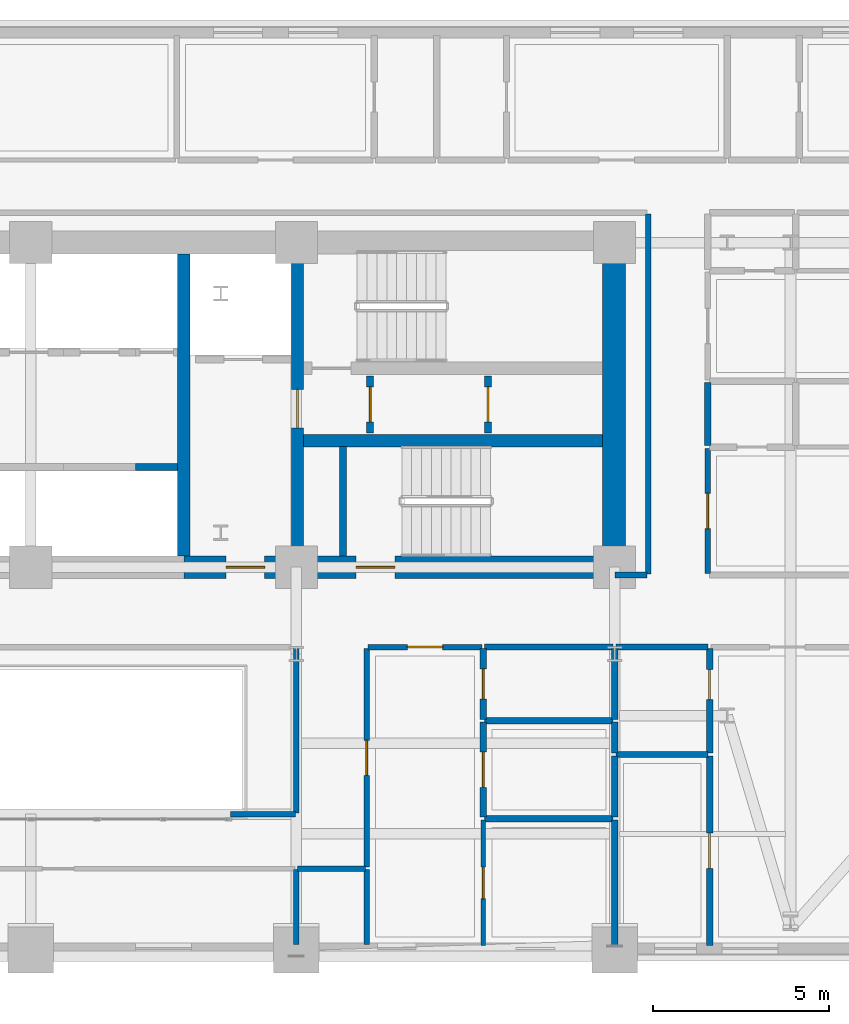
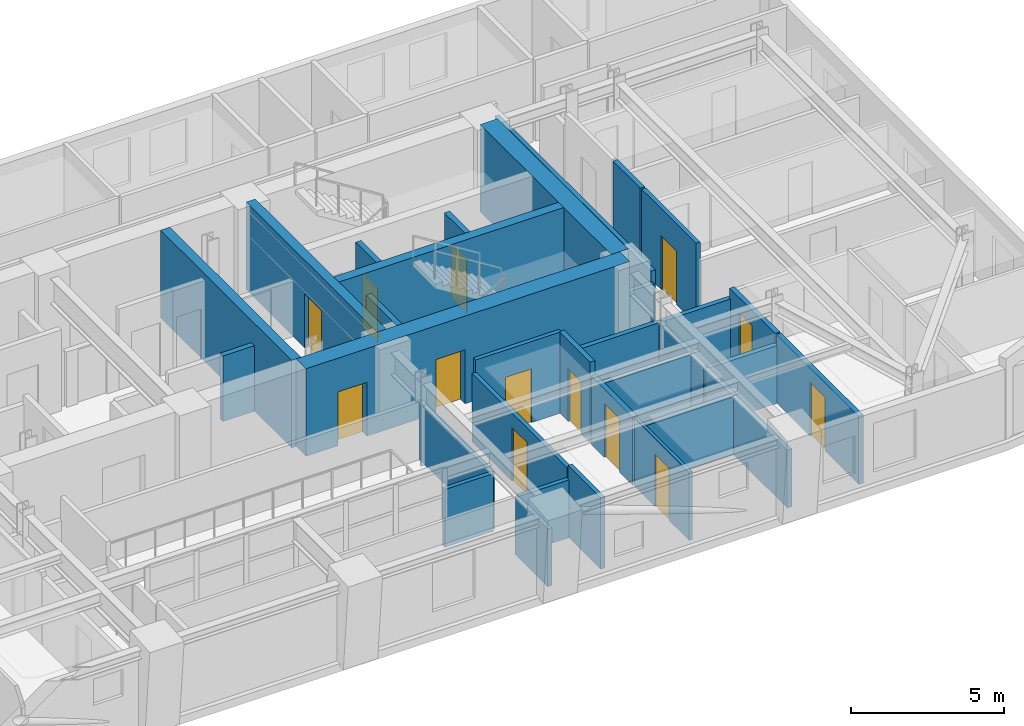
# One storey, part 11 of 16: 34 walls, 13 doors, 13 openings.
"""IFC4 building model written with IfcOpenShell, lengths in metres."""

from ifc_helpers import new_model, si_unit, direction, frame, frame_2d, origin, place, context, subcontext, project, spatial, rectangle, extrude, material, layer, layer_set, type_object, element, fill, save


model = new_model("IFC4")

# Units and contexts
model_context = context("Model", 3, precision=1e-05, world=origin(), true_north=direction((0.0, 1.0)))
body_context = subcontext(model_context, "Body", "Model", "MODEL_VIEW")
ifc_project = project(units=[si_unit("LENGTHUNIT", "METRE"), si_unit("AREAUNIT", "SQUARE_METRE"), si_unit("VOLUMEUNIT", "CUBIC_METRE"), si_unit("PLANEANGLEUNIT", "RADIAN"), si_unit("MASSUNIT", "GRAM", prefix="KILO")], contexts=[model_context])

# Site, building, storey
site_placement = place(None, origin())
site = spatial("IfcSite", under=ifc_project, at=site_placement, CompositionType="ELEMENT")
building_placement = place(site_placement, origin())
building = spatial("IfcBuilding", under=site, at=building_placement, Name="Zarnavel Station Tower", CompositionType="ELEMENT")
storey_placement = place(building_placement, frame((0.0, 0.0, 101.300048828125)))
storey = spatial("IfcBuildingStorey", under=building, at=storey_placement, Name="L27", CompositionType="ELEMENT", Elevation=101.300048828125)

# Wall
ifc_material_1 = material(Name="Concrete C50/60", Category="concrete")
ifc_layer_1 = layer(ifc_material_1, 0.35009765625)
ifc_layer_set_1 = layer_set([ifc_layer_1], Name="CW_350")
wall_type_1 = type_object("IfcWallType", Name="CW_350", PredefinedType="SHEAR", material=ifc_layer_set_1)
wall_1_placement = place(storey_placement, frame((33.14990234375, 28.14501953125, 0.0), z_axis=(0.0, 0.0, 1.0), x_axis=(0.0, 1.0, 0.0)))
element("IfcWall", 1, at=wall_1_placement, inside=storey, type_object=wall_type_1, Name="L27 Rear Core Shear Wall DIV-E", PredefinedType="SHEAR", context=body_context, shape_type="SweptSolid", body=[
    extrude(rectangle(XDim=8.580078125, YDim=0.35009765625, at=frame_2d((4.2900390625, 0.0))), origin(), (0.0, 0.0, 1.0), 3.5),
])

# Wall, opening, door
wall_2_placement = place(storey_placement, frame((36.3798828125, 28.14501953125, 0.0), z_axis=(0.0, 0.0, 1.0), x_axis=(0.0, 1.0, 0.0)))
wall_2 = element("IfcWall", 2, at=wall_2_placement, inside=storey, type_object=wall_type_1, Name="L27 Rear Core Shear Wall DIV-S2", PredefinedType="SHEAR", context=body_context, shape_type="SweptSolid", body=[
    extrude(rectangle(XDim=8.580078125, YDim=0.35009765625, at=frame_2d((4.2900390625, 0.0))), origin(), (0.0, 0.0, 1.0), 3.5),
])
opening_1_placement = place(wall_2_placement, frame((3.635009765625, 0.0, 0.0)))
opening_1 = element("IfcOpeningElement", 3, at=opening_1_placement, cuts=wall_2, Name="Opening FD01", PredefinedType="OPENING", context=body_context, shape_type="SweptSolid", body=[
    extrude(rectangle(XDim=1.10009765625, YDim=2.14990234375, at=frame_2d((0.550048828125, 1.074951171875))), frame((0.0, 0.18505859375, 0.0), z_axis=(0.0, -1.0, 0.0), x_axis=(1.0, 0.0, 0.0)), (0.0, 0.0, 1.0), 0.3701171875),
])
ifc_material_2 = material(Name="Painted Galvanised Steel and Hardwood Leaf", Category="steel")
door_type_1 = type_object("IfcDoorType", Name="ID_STAIR_1100", OperationType="NOTDEFINED", PredefinedType="DOOR", material=ifc_material_2)
door_1_placement = place(opening_1_placement, origin())
door_1 = element("IfcDoor", 4, at=door_1_placement, inside=storey, type_object=door_type_1, Name="L27 East Stair Vestibule Fire Door", OperationType="SINGLE_SWING_LEFT", OverallHeight=2.14990234375, OverallWidth=1.10009765625, PredefinedType="DOOR", context=body_context, shape_type="SweptSolid", body=[
    extrude(rectangle(XDim=1.10009765625, YDim=2.14990234375, at=frame_2d((0.550048828125, 1.074951171875))), frame((0.0, 0.02490234375, 0.0), z_axis=(0.0, -1.0, 0.0), x_axis=(1.0, 0.0, 0.0)), (0.0, 0.0, 1.0), 0.050048828125),
])
fill(opening_1, door_1)

# Wall
wall_3_placement = place(storey_placement, frame((36.554931640625, 31.419921875, 0.0), z_axis=(0.0, 0.0, 1.0), x_axis=(1.0, 0.0, 0.0)))
element("IfcWall", 5, at=wall_3_placement, inside=storey, type_object=wall_type_1, Name="L27 Rear Core Shear Wall DIV-H3", PredefinedType="SHEAR", context=body_context, shape_type="SweptSolid", body=[
    extrude(rectangle(XDim=8.5, YDim=0.35009765625, at=frame_2d((4.25, 0.0))), origin(), (0.0, 0.0, 1.0), 3.5),
])

# Wall, openings, doors
ifc_material_3 = material(Name="Concrete C60/75", Category="concrete")
ifc_layer_2 = layer(ifc_material_3, 0.64990234375)
ifc_layer_set_2 = layer_set([ifc_layer_2], Name="CW_650")
wall_type_2 = type_object("IfcWallType", Name="CW_650", PredefinedType="SHEAR", material=ifc_layer_set_2)
wall_4_placement = place(storey_placement, frame((45.3798828125, 27.820068359375, 0.0), z_axis=(0.0, 0.0, 1.0), x_axis=(-1.0, 0.0, 0.0)))
wall_4 = element("IfcWall", 6, at=wall_4_placement, inside=storey, type_object=wall_type_2, Name="L27 Rear Core Shear Wall S-E", PredefinedType="SHEAR", context=body_context, shape_type="SweptSolid", body=[
    extrude(rectangle(XDim=12.22998046875, YDim=0.64990234375, at=frame_2d((6.114990234375, 0.0))), origin(), (0.0, 0.0, 1.0), 3.5),
])
opening_2_placement = place(wall_4_placement, frame((9.929931640625, 0.0, 0.0)))
opening_2 = element("IfcOpeningElement", 7, at=opening_2_placement, cuts=wall_4, Name="Opening FD01", PredefinedType="OPENING", context=body_context, shape_type="SweptSolid", body=[
    extrude(rectangle(XDim=1.10009765625, YDim=2.14990234375, at=frame_2d((0.550048828125, 1.074951171875))), frame((0.0, 0.3349609375, 0.0), z_axis=(0.0, -1.0, 0.0), x_axis=(1.0, 0.0, 0.0)), (0.0, 0.0, 1.0), 0.669921875),
])
opening_3_placement = place(wall_4_placement, frame((6.22998046875, 0.0, 0.0)))
opening_3 = element("IfcOpeningElement", 8, at=opening_3_placement, cuts=wall_4, Name="Opening FD01", PredefinedType="OPENING", context=body_context, shape_type="SweptSolid", body=[
    extrude(rectangle(XDim=1.10009765625, YDim=2.14990234375, at=frame_2d((0.550048828125, 1.074951171875))), frame((0.0, 0.3349609375, 0.0), z_axis=(0.0, -1.0, 0.0), x_axis=(1.0, 0.0, 0.0)), (0.0, 0.0, 1.0), 0.669921875),
])
door_2_placement = place(opening_2_placement, origin())
door_2 = element("IfcDoor", 9, at=door_2_placement, inside=storey, type_object=door_type_1, Name="L27 East Firefighting Lobby Door", OperationType="SINGLE_SWING_LEFT", OverallHeight=2.14990234375, OverallWidth=1.10009765625, PredefinedType="DOOR", context=body_context, shape_type="SweptSolid", body=[
    extrude(rectangle(XDim=1.10009765625, YDim=2.14990234375, at=frame_2d((0.550048828125, 1.074951171875))), frame((0.0, 0.02490234375, 0.0), z_axis=(0.0, -1.0, 0.0), x_axis=(1.0, 0.0, 0.0)), (0.0, 0.0, 1.0), 0.050048828125),
])
fill(opening_2, door_2)
door_3_placement = place(opening_3_placement, origin())
door_3 = element("IfcDoor", 10, at=door_3_placement, inside=storey, type_object=door_type_1, Name="L27 Stair ST3 Corridor Fire Door", OperationType="SINGLE_SWING_RIGHT", OverallHeight=2.14990234375, OverallWidth=1.10009765625, PredefinedType="DOOR", context=body_context, shape_type="SweptSolid", body=[
    extrude(rectangle(XDim=1.10009765625, YDim=2.14990234375, at=frame_2d((0.550048828125, 1.074951171875))), frame((0.0, 0.02490234375, 0.0), z_axis=(0.0, -1.0, 0.0), x_axis=(1.0, 0.0, 0.0)), (0.0, 0.0, 1.0), 0.050048828125),
])
fill(opening_3, door_3)

# Wall
wall_5_placement = place(storey_placement, frame((45.3798828125, 28.14501953125, 0.0), z_axis=(0.0, 0.0, 1.0), x_axis=(0.0, 1.0, 0.0)))
element("IfcWall", 11, at=wall_5_placement, inside=storey, type_object=wall_type_2, Name="L27 Rear Core Shear Wall E", PredefinedType="SHEAR", context=body_context, shape_type="SweptSolid", body=[
    extrude(rectangle(XDim=8.580078125, YDim=0.64990234375, at=frame_2d((4.2900390625, 0.0))), origin(), (0.0, 0.0, 1.0), 3.5),
])

# Wall, opening, door
ifc_material_4 = material(Name="Gypsum Twin-Stud Acoustic Fire Partition", Category="concrete")
ifc_layer_3 = layer(ifc_material_4, 0.159912109375)
ifc_layer_set_3 = layer_set([ifc_layer_3], Name="PT_DEMISE_160")
wall_type_3 = type_object("IfcWallType", Name="PT_DEMISE_160", PredefinedType="PARTITIONING", material=ifc_layer_set_3)
wall_6_placement = place(storey_placement, frame((38.389892578125, 25.550048828125, 0.0), z_axis=(0.0, 0.0, 1.0), x_axis=(1.0, 0.0, 0.0)))
wall_6 = element("IfcWall", 12, at=wall_6_placement, inside=storey, type_object=wall_type_3, Name="L27 Partition COR-S-UE1ALV", PredefinedType="PARTITIONING", context=body_context, shape_type="SweptSolid", body=[
    extrude(rectangle(XDim=3.233154296875, YDim=0.159912109375, at=frame_2d((1.61669921875, 0.0))), origin(), (0.0, 0.0, 1.0), 3.239990234375),
])
opening_4_placement = place(wall_6_placement, frame((1.116455078125, 0.0, 0.0)))
opening_4 = element("IfcOpeningElement", 13, at=opening_4_placement, cuts=wall_6, Name="Opening FD02", PredefinedType="OPENING", context=body_context, shape_type="SweptSolid", body=[
    extrude(rectangle(XDim=1.0, YDim=2.14990234375, at=frame_2d((0.5, 1.074951171875))), frame((0.0, 0.08984375, 0.0), z_axis=(0.0, -1.0, 0.0), x_axis=(1.0, 0.0, 0.0)), (0.0, 0.0, 1.0), 0.179931640625),
])
ifc_material_5 = material(Name="Painted Galvanised Steel and Hardwood Leaf", Category="steel")
door_type_2 = type_object("IfcDoorType", Name="ID_ENTRY_1000", OperationType="NOTDEFINED", PredefinedType="DOOR", material=ifc_material_5)
door_4_placement = place(opening_4_placement, origin())
door_4 = element("IfcDoor", 14, at=door_4_placement, inside=storey, type_object=door_type_2, Name="L27 Door COR-S-UE1ALV", OperationType="SINGLE_SWING_LEFT", OverallHeight=2.14990234375, OverallWidth=1.0, PredefinedType="DOOR", context=body_context, shape_type="SweptSolid", body=[
    extrude(rectangle(XDim=1.0, YDim=2.14990234375, at=frame_2d((0.5, 1.074951171875))), frame((0.0, 0.02490234375, 0.0), z_axis=(0.0, -1.0, 0.0), x_axis=(1.0, 0.0, 0.0)), (0.0, 0.0, 1.0), 0.050048828125),
])
fill(opening_4, door_4)

wall_7_placement = place(storey_placement, frame((48.050048828125, 27.639892578125, 0.0), z_axis=(0.0, 0.0, 1.0), x_axis=(0.0, 1.0, 0.0)))
wall_7 = element("IfcWall", 15, at=wall_7_placement, inside=storey, type_object=wall_type_3, Name="L27 Partition COR-E-FNE1R", PredefinedType="PARTITIONING", context=body_context, shape_type="SweptSolid", body=[
    extrude(rectangle(XDim=3.55615234375, YDim=0.159912109375, at=frame_2d((1.778076171875, 0.0))), origin(), (0.0, 0.0, 1.0), 3.239990234375),
])
opening_5_placement = place(wall_7_placement, frame((1.278076171875, 0.0, 0.0)))
opening_5 = element("IfcOpeningElement", 16, at=opening_5_placement, cuts=wall_7, Name="Opening FD02", PredefinedType="OPENING", context=body_context, shape_type="SweptSolid", body=[
    extrude(rectangle(XDim=1.0, YDim=2.14990234375, at=frame_2d((0.5, 1.074951171875))), frame((0.0, 0.08984375, 0.0), z_axis=(0.0, -1.0, 0.0), x_axis=(1.0, 0.0, 0.0)), (0.0, 0.0, 1.0), 0.179931640625),
])
door_5_placement = place(opening_5_placement, origin())
door_5 = element("IfcDoor", 17, at=door_5_placement, inside=storey, type_object=door_type_2, Name="L27 Door COR-E-FNE1R", OperationType="SINGLE_SWING_LEFT", OverallHeight=2.14990234375, OverallWidth=1.0, PredefinedType="DOOR", context=body_context, shape_type="SweptSolid", body=[
    extrude(rectangle(XDim=1.0, YDim=2.14990234375, at=frame_2d((0.5, 1.074951171875))), frame((0.0, 0.02490234375, 0.0), z_axis=(0.0, -1.0, 0.0), x_axis=(1.0, 0.0, 0.0)), (0.0, 0.0, 1.0), 0.050048828125),
])
fill(opening_5, door_5)

wall_8_placement = place(storey_placement, frame((38.35009765625, 19.2900390625, 0.0), z_axis=(0.0, 0.0, 1.0), x_axis=(0.0, 1.0, 0.0)))
wall_8 = element("IfcWall", 18, at=wall_8_placement, inside=storey, type_object=wall_type_3, Name="L27 Partition COR-AE-UE1ALV", PredefinedType="PARTITIONING", context=body_context, shape_type="SweptSolid", body=[
    extrude(rectangle(XDim=6.219970703125, YDim=0.159912109375, at=frame_2d((3.10986328125, 0.0))), origin(), (0.0, 0.0, 1.0), 2.72998046875),
])
opening_6_placement = place(wall_8_placement, frame((2.610107421875, 0.0, 0.0)))
opening_6 = element("IfcOpeningElement", 19, at=opening_6_placement, cuts=wall_8, Name="Opening FD02", PredefinedType="OPENING", context=body_context, shape_type="SweptSolid", body=[
    extrude(rectangle(XDim=1.0, YDim=2.14990234375, at=frame_2d((0.5, 1.074951171875))), frame((0.0, 0.08984375, 0.0), z_axis=(0.0, -1.0, 0.0), x_axis=(1.0, 0.0, 0.0)), (0.0, 0.0, 1.0), 0.179931640625),
])
door_6_placement = place(opening_6_placement, origin())
door_6 = element("IfcDoor", 20, at=door_6_placement, inside=storey, type_object=door_type_2, Name="L27 Door COR-AE-UE1ALV", OperationType="SINGLE_SWING_RIGHT", OverallHeight=2.14990234375, OverallWidth=1.0, PredefinedType="DOOR", context=body_context, shape_type="SweptSolid", body=[
    extrude(rectangle(XDim=1.0, YDim=2.14990234375, at=frame_2d((0.5, 1.074951171875))), frame((0.0, 0.02490234375, 0.0), z_axis=(0.0, -1.0, 0.0), x_axis=(1.0, 0.0, 0.0)), (0.0, 0.0, 1.0), 0.050048828125),
])
fill(opening_6, door_6)

# Walls
wall_9_placement = place(storey_placement, frame((45.409912109375, 27.60009765625, 0.0), z_axis=(0.0, 0.0, 1.0), x_axis=(1.0, 0.0, 0.0)))
element("IfcWall", 21, at=wall_9_placement, inside=storey, type_object=wall_type_3, Name="L27 Enclosure Wall COR-S", PredefinedType="PARTITIONING", context=body_context, shape_type="SweptSolid", body=[
    extrude(rectangle(XDim=0.91015625, YDim=0.159912109375, at=frame_2d((0.455078125, 0.0))), origin(), (0.0, 0.0, 1.0), 2.280029296875),
])
wall_10_placement = place(storey_placement, frame((46.35009765625, 27.6298828125, 0.0), z_axis=(0.0, 0.0, 1.0), x_axis=(0.0, 1.0, 0.0)))
element("IfcWall", 22, at=wall_10_placement, inside=storey, type_object=wall_type_3, Name="L27 Enclosure Wall COR-E", PredefinedType="PARTITIONING", context=body_context, shape_type="SweptSolid", body=[
    extrude(rectangle(XDim=10.240234375, YDim=0.159912109375, at=frame_2d((5.1201171875, 0.0))), origin(), (0.0, 0.0, 1.0), 2.719970703125),
])
wall_11_placement = place(storey_placement, frame((36.3798828125, 19.25, 0.0), z_axis=(0.0, 0.0, 1.0), x_axis=(1.0, 0.0, 0.0)))
element("IfcWall", 23, at=wall_11_placement, inside=storey, type_object=wall_type_3, Name="L27 Enclosure Wall COR-AE", PredefinedType="PARTITIONING", context=body_context, shape_type="SweptSolid", body=[
    extrude(rectangle(XDim=1.940185546875, YDim=0.159912109375, at=frame_2d((0.97021484375, 0.0))), origin(), (0.0, 0.0, 1.0), 2.31005859375),
])
wall_12_placement = place(storey_placement, frame((36.35009765625, 20.830078125, 0.0), z_axis=(0.0, 0.0, 1.0), x_axis=(0.0, 1.0, 0.0)))
element("IfcWall", 24, at=wall_12_placement, inside=storey, type_object=wall_type_3, Name="L27 Enclosure Wall COR-AE", PredefinedType="PARTITIONING", context=body_context, shape_type="SweptSolid", body=[
    extrude(rectangle(XDim=4.68994140625, YDim=0.159912109375, at=frame_2d((2.344970703125, 0.0))), origin(), (0.0, 0.0, 1.0), 2.31005859375),
])
wall_13_placement = place(storey_placement, frame((34.47998046875, 20.800048828125, 0.0), z_axis=(0.0, 0.0, 1.0), x_axis=(1.0, 0.0, 0.0)))
element("IfcWall", 25, at=wall_13_placement, inside=storey, type_object=wall_type_3, Name="L27 Enclosure Wall COR-AS", PredefinedType="PARTITIONING", context=body_context, shape_type="SweptSolid", body=[
    extrude(rectangle(XDim=1.840087890625, YDim=0.159912109375, at=frame_2d((0.919921875, 0.0))), origin(), (0.0, 0.0, 1.0), 2.31005859375),
])
wall_14_placement = place(storey_placement, frame((36.35009765625, 17.090087890625, 0.0), z_axis=(0.0, 0.0, 1.0), x_axis=(0.0, 1.0, 0.0)))
element("IfcWall", 26, at=wall_14_placement, inside=storey, type_object=wall_type_3, Name="L27 Enclosure Wall L27FOY", PredefinedType="PARTITIONING", context=body_context, shape_type="SweptSolid", body=[
    extrude(rectangle(XDim=2.1298828125, YDim=0.159912109375, at=frame_2d((1.06494140625, 0.0))), origin(), (0.0, 0.0, 1.0), 2.31005859375),
])
wall_15_placement = place(storey_placement, frame((38.35009765625, 17.090087890625, 0.0), z_axis=(0.0, 0.0, 1.0), x_axis=(0.0, 1.0, 0.0)))
element("IfcWall", 27, at=wall_15_placement, inside=storey, type_object=wall_type_3, Name="L27 Enclosure Wall UE1ALV", PredefinedType="PARTITIONING", context=body_context, shape_type="SweptSolid", body=[
    extrude(rectangle(XDim=2.1298828125, YDim=0.159912109375, at=frame_2d((1.06494140625, 0.0))), origin(), (0.0, 0.0, 1.0), 2.85986328125),
])

# Wall, opening, door
ifc_material_6 = material(Name="Gypsum Metal-Stud Interior Partition", Category="concrete")
ifc_layer_4 = layer(ifc_material_6, 0.1201171875)
ifc_layer_set_4 = layer_set([ifc_layer_4], Name="PT_ROOM_120")
wall_type_4 = type_object("IfcWallType", Name="PT_ROOM_120", PredefinedType="PARTITIONING", material=ifc_layer_set_4)
wall_16_placement = place(storey_placement, frame((41.6630859375, 17.06005859375, 0.0), z_axis=(0.0, 0.0, 1.0), x_axis=(0.0, 1.0, 0.0)))
wall_16 = element("IfcWall", 28, at=wall_16_placement, inside=storey, type_object=wall_type_4, Name="L27 Partition UE1ALV-UE1AB1", PredefinedType="PARTITIONING", context=body_context, shape_type="SweptSolid", body=[
    extrude(rectangle(XDim=3.572998046875, YDim=0.1201171875, at=frame_2d((1.78662109375, 0.0))), origin(), (0.0, 0.0, 1.0), 2.72998046875),
])
opening_7_placement = place(wall_16_placement, frame((1.33642578125, 0.0, 0.0)))
opening_7 = element("IfcOpeningElement", 29, at=opening_7_placement, cuts=wall_16, Name="Opening ID01", PredefinedType="OPENING", context=body_context, shape_type="SweptSolid", body=[
    extrude(rectangle(XDim=0.89990234375, YDim=2.10009765625, at=frame_2d((0.449951171875, 1.050048828125))), frame((0.0, 0.070068359375, 0.0), z_axis=(0.0, -1.0, 0.0), x_axis=(1.0, 0.0, 0.0)), (0.0, 0.0, 1.0), 0.14013671875),
])
ifc_material_7 = material(Name="Painted Galvanised Steel and Hardwood Leaf", Category="steel")
door_type_3 = type_object("IfcDoorType", Name="ID_ROOM_900", OperationType="NOTDEFINED", PredefinedType="DOOR", material=ifc_material_7)
door_7_placement = place(opening_7_placement, origin())
door_7 = element("IfcDoor", 30, at=door_7_placement, inside=storey, type_object=door_type_3, Name="L27 Door UE1ALV-UE1AB1", OperationType="SINGLE_SWING_LEFT", OverallHeight=2.10009765625, OverallWidth=0.89990234375, PredefinedType="DOOR", context=body_context, shape_type="SweptSolid", body=[
    extrude(rectangle(XDim=0.89990234375, YDim=2.10009765625, at=frame_2d((0.449951171875, 1.050048828125))), frame((0.0, 0.02490234375, 0.0), z_axis=(0.0, -1.0, 0.0), x_axis=(1.0, 0.0, 0.0)), (0.0, 0.0, 1.0), 0.050048828125),
])
fill(opening_7, door_7)

# Walls
ifc_material_8 = material(Name="Precast concrete C45/55 (Fire Shaft Blockwork)", Category="masonry")
ifc_layer_5 = layer(ifc_material_8, 0.199951171875)
ifc_layer_set_5 = layer_set([ifc_layer_5], Name="PT_SHAFT_200")
wall_type_5 = type_object("IfcWallType", Name="PT_SHAFT_200", PredefinedType="PARTITIONING", material=ifc_layer_set_5)
wall_17_placement = place(storey_placement, frame((31.77490234375, 30.669921875, 0.0), z_axis=(0.0, 0.0, 1.0), x_axis=(1.0, 0.0, 0.0)))
element("IfcWall", 31, at=wall_17_placement, inside=storey, type_object=wall_type_5, Name="L27 Lift PL-H3 Shaft Front Wall", PredefinedType="PARTITIONING", context=body_context, shape_type="SweptSolid", body=[
    extrude(rectangle(XDim=1.2001953125, YDim=0.199951171875, at=frame_2d((0.60009765625, 0.0))), origin(), (0.0, 0.0, 1.0), 2.619873046875),
])
wall_18_placement = place(storey_placement, frame((37.679931640625, 28.14501953125, 0.0), z_axis=(0.0, 0.0, 1.0), x_axis=(0.0, 1.0, 0.0)))
element("IfcWall", 32, at=wall_18_placement, inside=storey, type_object=wall_type_5, Name="L27 Stair ST3 West Shaft Wall", PredefinedType="PARTITIONING", context=body_context, shape_type="SweptSolid", body=[
    extrude(rectangle(XDim=3.10498046875, YDim=0.199951171875, at=frame_2d((1.552490234375, 0.0))), origin(), (0.0, 0.0, 1.0), 2.619873046875),
])

# Wall, opening, door
wall_19_placement = place(storey_placement, frame((38.449951171875, 31.639892578125, 0.0), z_axis=(0.0, 0.0, 1.0), x_axis=(0.0, 1.0, 0.0)))
wall_19 = element("IfcWall", 33, at=wall_19_placement, inside=storey, type_object=wall_type_5, Name="L27 Partition ESTV-CEA", PredefinedType="PARTITIONING", context=body_context, shape_type="SweptSolid", body=[
    extrude(rectangle(XDim=1.6201171875, YDim=0.199951171875, at=frame_2d((0.81005859375, 0.0))), origin(), (0.0, 0.0, 1.0), 3.239990234375),
])
opening_8_placement = place(wall_19_placement, frame((0.31005859375, 0.0, 0.0)))
opening_8 = element("IfcOpeningElement", 34, at=opening_8_placement, cuts=wall_19, Name="Opening FD02", PredefinedType="OPENING", context=body_context, shape_type="SweptSolid", body=[
    extrude(rectangle(XDim=1.0, YDim=2.14990234375, at=frame_2d((0.5, 1.074951171875))), frame((0.0, 0.10986328125, 0.0), z_axis=(0.0, -1.0, 0.0), x_axis=(1.0, 0.0, 0.0)), (0.0, 0.0, 1.0), 0.219970703125),
])
door_8_placement = place(opening_8_placement, origin())
door_8 = element("IfcDoor", 35, at=door_8_placement, inside=storey, type_object=door_type_2, Name="L27 Door ESTV-CEA", OperationType="SINGLE_SWING_LEFT", OverallHeight=2.14990234375, OverallWidth=1.0, PredefinedType="DOOR", context=body_context, shape_type="SweptSolid", body=[
    extrude(rectangle(XDim=1.0, YDim=2.14990234375, at=frame_2d((0.5, 1.074951171875))), frame((0.0, 0.02490234375, 0.0), z_axis=(0.0, -1.0, 0.0), x_axis=(1.0, 0.0, 0.0)), (0.0, 0.0, 1.0), 0.050048828125),
])
fill(opening_8, door_8)

wall_20_placement = place(storey_placement, frame((41.800048828125, 31.639892578125, 0.0), z_axis=(0.0, 0.0, 1.0), x_axis=(0.0, 1.0, 0.0)))
wall_20 = element("IfcWall", 36, at=wall_20_placement, inside=storey, type_object=wall_type_5, Name="L27 Partition CEA-CEB", PredefinedType="PARTITIONING", context=body_context, shape_type="SweptSolid", body=[
    extrude(rectangle(XDim=1.6201171875, YDim=0.199951171875, at=frame_2d((0.81005859375, 0.0))), origin(), (0.0, 0.0, 1.0), 3.239990234375),
])
opening_9_placement = place(wall_20_placement, frame((0.31005859375, 0.0, 0.0)))
opening_9 = element("IfcOpeningElement", 37, at=opening_9_placement, cuts=wall_20, Name="Opening FD02", PredefinedType="OPENING", context=body_context, shape_type="SweptSolid", body=[
    extrude(rectangle(XDim=1.0, YDim=2.14990234375, at=frame_2d((0.5, 1.074951171875))), frame((0.0, 0.10986328125, 0.0), z_axis=(0.0, -1.0, 0.0), x_axis=(1.0, 0.0, 0.0)), (0.0, 0.0, 1.0), 0.219970703125),
])
door_9_placement = place(opening_9_placement, origin())
door_9 = element("IfcDoor", 38, at=door_9_placement, inside=storey, type_object=door_type_2, Name="L27 Door CEA-CEB", OperationType="SINGLE_SWING_RIGHT", OverallHeight=2.14990234375, OverallWidth=1.0, PredefinedType="DOOR", context=body_context, shape_type="SweptSolid", body=[
    extrude(rectangle(XDim=1.0, YDim=2.14990234375, at=frame_2d((0.5, 1.074951171875))), frame((0.0, 0.02490234375, 0.0), z_axis=(0.0, -1.0, 0.0), x_axis=(1.0, 0.0, 0.0)), (0.0, 0.0, 1.0), 0.050048828125),
])
fill(opening_9, door_9)

# Walls
ifc_material_9 = material(Name="Moisture-Resistant Plumbing Chase Wall", Category="concrete")
ifc_layer_6 = layer(ifc_material_9, 0.179931640625)
ifc_layer_set_6 = layer_set([ifc_layer_6], Name="PW_PLUMB_180")
wall_type_6 = type_object("IfcWallType", Name="PW_PLUMB_180", PredefinedType="PLUMBINGWALL", material=ifc_layer_set_6)
wall_21_placement = place(storey_placement, frame((41.702880859375, 25.550048828125, 0.0), z_axis=(0.0, 0.0, 1.0), x_axis=(1.0, 0.0, 0.0)))
element("IfcWall", 39, at=wall_21_placement, inside=storey, type_object=wall_type_6, Name="L27 Partition COR-S-UE1ABA", PredefinedType="PLUMBINGWALL", context=body_context, shape_type="SweptSolid", body=[
    extrude(rectangle(XDim=3.6572265625, YDim=0.179931640625, at=frame_2d((1.82861328125, 0.0))), origin(), (0.0, 0.0, 1.0), 2.31005859375),
])
wall_22_placement = place(storey_placement, frame((45.43994140625, 25.550048828125, 0.0), z_axis=(0.0, 0.0, 1.0), x_axis=(1.0, 0.0, 0.0)))
element("IfcWall", 40, at=wall_22_placement, inside=storey, type_object=wall_type_6, Name="L27 Partition COR-S-UE1BBA", PredefinedType="PLUMBINGWALL", context=body_context, shape_type="SweptSolid", body=[
    extrude(rectangle(XDim=2.6201171875, YDim=0.179931640625, at=frame_2d((1.31005859375, 0.0))), origin(), (0.0, 0.0, 1.0), 2.31005859375),
])
wall_23_placement = place(storey_placement, frame((48.050048828125, 31.27587890625, 0.0), z_axis=(0.0, 0.0, 1.0), x_axis=(0.0, 1.0, 0.0)))
element("IfcWall", 41, at=wall_23_placement, inside=storey, type_object=wall_type_6, Name="L27 Partition COR-E-FNE1B", PredefinedType="PLUMBINGWALL", context=body_context, shape_type="SweptSolid", body=[
    extrude(rectangle(XDim=1.793212890625, YDim=0.179931640625, at=frame_2d((0.896484375, 0.0))), origin(), (0.0, 0.0, 1.0), 3.239990234375),
])

# Wall, opening, door
wall_24_placement = place(storey_placement, frame((41.6630859375, 20.712890625, 0.0), z_axis=(0.0, 0.0, 1.0), x_axis=(0.0, 1.0, 0.0)))
wall_24 = element("IfcWall", 42, at=wall_24_placement, inside=storey, type_object=wall_type_6, Name="L27 Partition UE1ALV-UE1AKT", PredefinedType="PLUMBINGWALL", context=body_context, shape_type="SweptSolid", body=[
    extrude(rectangle(XDim=2.7001953125, YDim=0.179931640625, at=frame_2d((1.35009765625, 0.0))), origin(), (0.0, 0.0, 1.0), 2.72998046875),
])
opening_10_placement = place(wall_24_placement, frame((0.85009765625, 0.0, 0.0)))
opening_10 = element("IfcOpeningElement", 43, at=opening_10_placement, cuts=wall_24, Name="Opening FD02", PredefinedType="OPENING", context=body_context, shape_type="SweptSolid", body=[
    extrude(rectangle(XDim=1.0, YDim=2.14990234375, at=frame_2d((0.5, 1.074951171875))), frame((0.0, 0.099853515625, 0.0), z_axis=(0.0, -1.0, 0.0), x_axis=(1.0, 0.0, 0.0)), (0.0, 0.0, 1.0), 0.199951171875),
])
door_10_placement = place(opening_10_placement, origin())
door_10 = element("IfcDoor", 44, at=door_10_placement, inside=storey, type_object=door_type_2, Name="L27 Door UE1ALV-UE1AKT", OperationType="SINGLE_SWING_RIGHT", OverallHeight=2.14990234375, OverallWidth=1.0, PredefinedType="DOOR", context=body_context, shape_type="SweptSolid", body=[
    extrude(rectangle(XDim=1.0, YDim=2.14990234375, at=frame_2d((0.5, 1.074951171875))), frame((0.0, 0.02490234375, 0.0), z_axis=(0.0, -1.0, 0.0), x_axis=(1.0, 0.0, 0.0)), (0.0, 0.0, 1.0), 0.050048828125),
])
fill(opening_10, door_10)

wall_25_placement = place(storey_placement, frame((41.6630859375, 23.492919921875, 0.0), z_axis=(0.0, 0.0, 1.0), x_axis=(0.0, 1.0, 0.0)))
wall_25 = element("IfcWall", 45, at=wall_25_placement, inside=storey, type_object=wall_type_6, Name="L27 Partition UE1ALV-UE1ABA", PredefinedType="PLUMBINGWALL", context=body_context, shape_type="SweptSolid", body=[
    extrude(rectangle(XDim=2.01708984375, YDim=0.179931640625, at=frame_2d((1.008544921875, 0.0))), origin(), (0.0, 0.0, 1.0), 3.239990234375),
])
opening_11_placement = place(wall_25_placement, frame((0.58349609375, 0.0, 0.0)))
opening_11 = element("IfcOpeningElement", 46, at=opening_11_placement, cuts=wall_25, Name="Opening ID02", PredefinedType="OPENING", context=body_context, shape_type="SweptSolid", body=[
    extrude(rectangle(XDim=0.85009765625, YDim=2.10009765625, at=frame_2d((0.425048828125, 1.050048828125))), frame((0.0, 0.099853515625, 0.0), z_axis=(0.0, -1.0, 0.0), x_axis=(1.0, 0.0, 0.0)), (0.0, 0.0, 1.0), 0.199951171875),
])
ifc_material_10 = material(Name="Painted Galvanised Steel and Hardwood Leaf", Category="steel")
door_type_4 = type_object("IfcDoorType", Name="ID_BATH_850", OperationType="NOTDEFINED", PredefinedType="DOOR", material=ifc_material_10)
door_11_placement = place(opening_11_placement, origin())
door_11 = element("IfcDoor", 47, at=door_11_placement, inside=storey, type_object=door_type_4, Name="L27 Door UE1ALV-UE1ABA", OperationType="SINGLE_SWING_LEFT", OverallHeight=2.10009765625, OverallWidth=0.85009765625, PredefinedType="DOOR", context=body_context, shape_type="SweptSolid", body=[
    extrude(rectangle(XDim=0.85009765625, YDim=2.10009765625, at=frame_2d((0.425048828125, 1.050048828125))), frame((0.0, 0.02490234375, 0.0), z_axis=(0.0, -1.0, 0.0), x_axis=(1.0, 0.0, 0.0)), (0.0, 0.0, 1.0), 0.050048828125),
])
fill(opening_11, door_11)

# Walls
wall_26_placement = place(storey_placement, frame((41.702880859375, 20.673095703125, 0.0), z_axis=(0.0, 0.0, 1.0), x_axis=(1.0, 0.0, 0.0)))
element("IfcWall", 48, at=wall_26_placement, inside=storey, type_object=wall_type_6, Name="L27 Partition UE1AB1-UE1AKT", PredefinedType="PLUMBINGWALL", context=body_context, shape_type="SweptSolid", body=[
    extrude(rectangle(XDim=3.6572265625, YDim=0.179931640625, at=frame_2d((1.82861328125, 0.0))), origin(), (0.0, 0.0, 1.0), 2.31005859375),
])
wall_27_placement = place(storey_placement, frame((45.39990234375, 17.06005859375, 0.0), z_axis=(0.0, 0.0, 1.0), x_axis=(0.0, 1.0, 0.0)))
element("IfcWall", 49, at=wall_27_placement, inside=storey, type_object=wall_type_6, Name="L27 Partition UE1AB1-UE1BKT", PredefinedType="PLUMBINGWALL", context=body_context, shape_type="SweptSolid", body=[
    extrude(rectangle(XDim=3.572998046875, YDim=0.179931640625, at=frame_2d((1.78662109375, 0.0))), origin(), (0.0, 0.0, 1.0), 2.31005859375),
])
wall_28_placement = place(storey_placement, frame((41.702880859375, 23.452880859375, 0.0), z_axis=(0.0, 0.0, 1.0), x_axis=(1.0, 0.0, 0.0)))
element("IfcWall", 50, at=wall_28_placement, inside=storey, type_object=wall_type_6, Name="L27 Partition UE1AKT-UE1ABA", PredefinedType="PLUMBINGWALL", context=body_context, shape_type="SweptSolid", body=[
    extrude(rectangle(XDim=3.6572265625, YDim=0.179931640625, at=frame_2d((1.82861328125, 0.0))), origin(), (0.0, 0.0, 1.0), 2.31005859375),
])
wall_29_placement = place(storey_placement, frame((45.39990234375, 20.712890625, 0.0), z_axis=(0.0, 0.0, 1.0), x_axis=(0.0, 1.0, 0.0)))
element("IfcWall", 51, at=wall_29_placement, inside=storey, type_object=wall_type_6, Name="L27 Partition UE1AKT-UE1BKT", PredefinedType="PLUMBINGWALL", context=body_context, shape_type="SweptSolid", body=[
    extrude(rectangle(XDim=1.7412109375, YDim=0.179931640625, at=frame_2d((0.87060546875, 0.0))), origin(), (0.0, 0.0, 1.0), 2.31005859375),
])
wall_30_placement = place(storey_placement, frame((45.39990234375, 22.533935546875, 0.0), z_axis=(0.0, 0.0, 1.0), x_axis=(0.0, 1.0, 0.0)))
element("IfcWall", 52, at=wall_30_placement, inside=storey, type_object=wall_type_6, Name="L27 Partition UE1AKT-UE1BBA", PredefinedType="PLUMBINGWALL", context=body_context, shape_type="SweptSolid", body=[
    extrude(rectangle(XDim=0.879150390625, YDim=0.179931640625, at=frame_2d((0.439453125, 0.0))), origin(), (0.0, 0.0, 1.0), 2.31005859375),
])
wall_31_placement = place(storey_placement, frame((45.39990234375, 23.492919921875, 0.0), z_axis=(0.0, 0.0, 1.0), x_axis=(0.0, 1.0, 0.0)))
element("IfcWall", 53, at=wall_31_placement, inside=storey, type_object=wall_type_6, Name="L27 Partition UE1ABA-UE1BBA", PredefinedType="PLUMBINGWALL", context=body_context, shape_type="SweptSolid", body=[
    extrude(rectangle(XDim=2.01708984375, YDim=0.179931640625, at=frame_2d((1.008544921875, 0.0))), origin(), (0.0, 0.0, 1.0), 2.31005859375),
])

# Wall, opening, door
wall_32_placement = place(storey_placement, frame((48.10009765625, 17.06005859375, 0.0), z_axis=(0.0, 0.0, 1.0), x_axis=(0.0, 1.0, 0.0)))
wall_32 = element("IfcWall", 54, at=wall_32_placement, inside=storey, type_object=wall_type_6, Name="L27 Partition UE1BLV-UE1BKT", PredefinedType="PLUMBINGWALL", context=body_context, shape_type="SweptSolid", body=[
    extrude(rectangle(XDim=5.39404296875, YDim=0.179931640625, at=frame_2d((2.697021484375, 0.0))), origin(), (0.0, 0.0, 1.0), 2.719970703125),
])
opening_12_placement = place(wall_32_placement, frame((2.197021484375, 0.0, 0.0)))
opening_12 = element("IfcOpeningElement", 55, at=opening_12_placement, cuts=wall_32, Name="Opening FD02", PredefinedType="OPENING", context=body_context, shape_type="SweptSolid", body=[
    extrude(rectangle(XDim=1.0, YDim=2.14990234375, at=frame_2d((0.5, 1.074951171875))), frame((0.0, 0.099853515625, 0.0), z_axis=(0.0, -1.0, 0.0), x_axis=(1.0, 0.0, 0.0)), (0.0, 0.0, 1.0), 0.199951171875),
])
door_12_placement = place(opening_12_placement, origin())
door_12 = element("IfcDoor", 56, at=door_12_placement, inside=storey, type_object=door_type_2, Name="L27 Door UE1BLV-UE1BKT", OperationType="SINGLE_SWING_RIGHT", OverallHeight=2.14990234375, OverallWidth=1.0, PredefinedType="DOOR", context=body_context, shape_type="SweptSolid", body=[
    extrude(rectangle(XDim=1.0, YDim=2.14990234375, at=frame_2d((0.5, 1.074951171875))), frame((0.0, 0.02490234375, 0.0), z_axis=(0.0, -1.0, 0.0), x_axis=(1.0, 0.0, 0.0)), (0.0, 0.0, 1.0), 0.050048828125),
])
fill(opening_12, door_12)

wall_33_placement = place(storey_placement, frame((48.10009765625, 22.533935546875, 0.0), z_axis=(0.0, 0.0, 1.0), x_axis=(0.0, 1.0, 0.0)))
wall_33 = element("IfcWall", 57, at=wall_33_placement, inside=storey, type_object=wall_type_6, Name="L27 Partition UE1BLV-UE1BBA", PredefinedType="PLUMBINGWALL", context=body_context, shape_type="SweptSolid", body=[
    extrude(rectangle(XDim=2.97607421875, YDim=0.179931640625, at=frame_2d((1.488037109375, 0.0))), origin(), (0.0, 0.0, 1.0), 2.719970703125),
])
opening_13_placement = place(wall_33_placement, frame((1.5244140625, 0.0, 0.0)))
opening_13 = element("IfcOpeningElement", 58, at=opening_13_placement, cuts=wall_33, Name="Opening ID02", PredefinedType="OPENING", context=body_context, shape_type="SweptSolid", body=[
    extrude(rectangle(XDim=0.85009765625, YDim=2.10009765625, at=frame_2d((0.425048828125, 1.050048828125))), frame((0.0, 0.099853515625, 0.0), z_axis=(0.0, -1.0, 0.0), x_axis=(1.0, 0.0, 0.0)), (0.0, 0.0, 1.0), 0.199951171875),
])
door_13_placement = place(opening_13_placement, origin())
door_13 = element("IfcDoor", 59, at=door_13_placement, inside=storey, type_object=door_type_4, Name="L27 Door UE1BLV-UE1BBA", OperationType="SINGLE_SWING_LEFT", OverallHeight=2.10009765625, OverallWidth=0.85009765625, PredefinedType="DOOR", context=body_context, shape_type="SweptSolid", body=[
    extrude(rectangle(XDim=0.85009765625, YDim=2.10009765625, at=frame_2d((0.425048828125, 1.050048828125))), frame((0.0, 0.02490234375, 0.0), z_axis=(0.0, -1.0, 0.0), x_axis=(1.0, 0.0, 0.0)), (0.0, 0.0, 1.0), 0.050048828125),
])
fill(opening_13, door_13)

# Wall
wall_34_placement = place(storey_placement, frame((45.43994140625, 22.493896484375, 0.0), z_axis=(0.0, 0.0, 1.0), x_axis=(1.0, 0.0, 0.0)))
element("IfcWall", 60, at=wall_34_placement, inside=storey, type_object=wall_type_6, Name="L27 Partition UE1BKT-UE1BBA", PredefinedType="PLUMBINGWALL", context=body_context, shape_type="SweptSolid", body=[
    extrude(rectangle(XDim=2.6201171875, YDim=0.179931640625, at=frame_2d((1.31005859375, 0.0))), origin(), (0.0, 0.0, 1.0), 2.31005859375),
])

save(model, "model.ifc")
